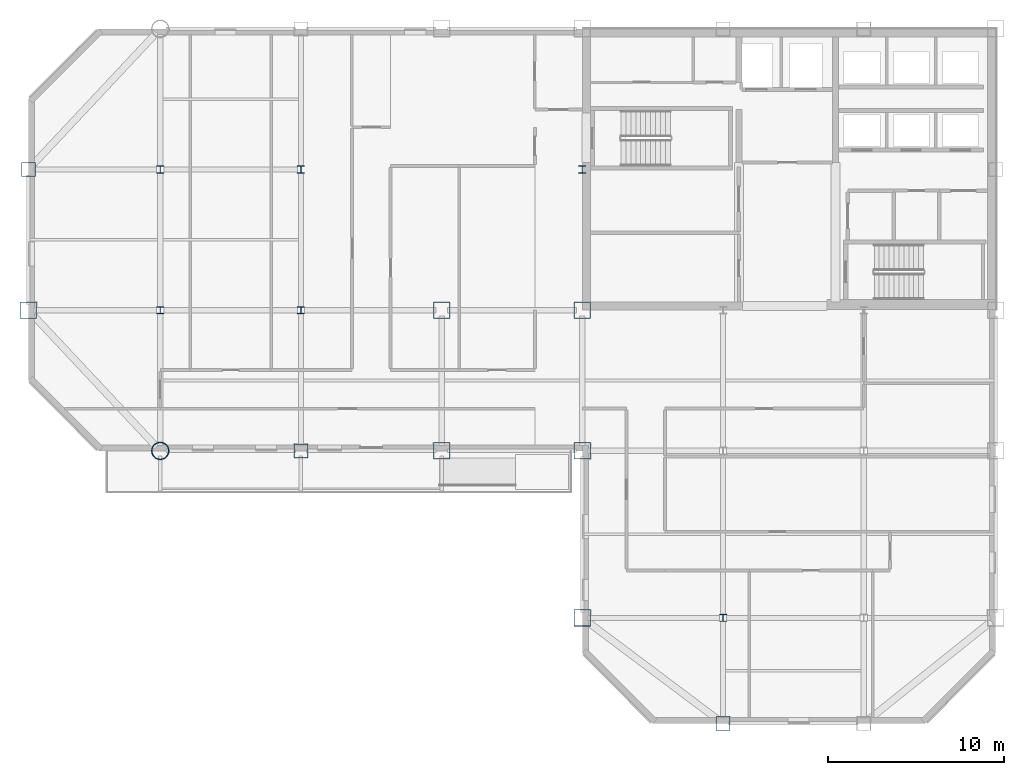
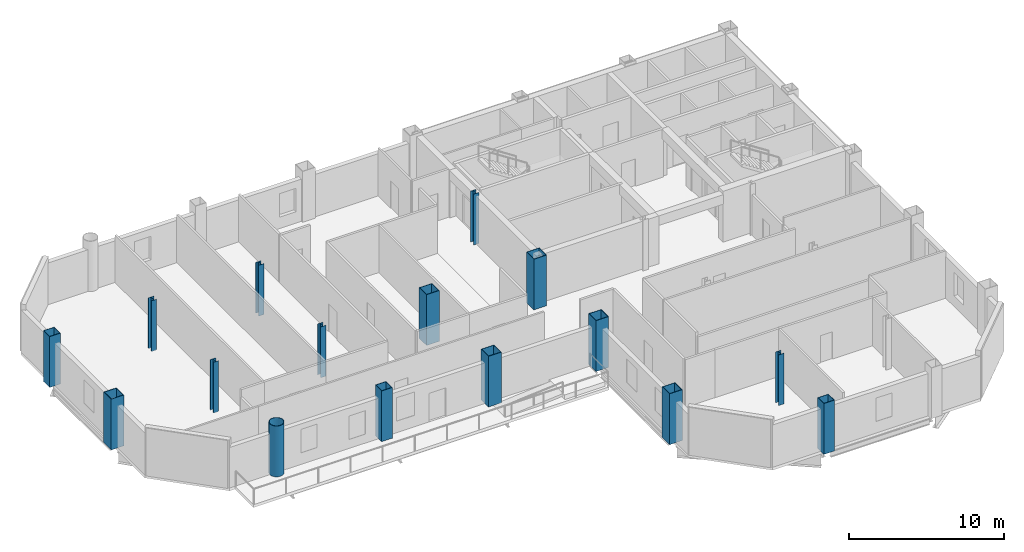
# One storey, part 1 of 11: 16 columns.
"""IFC4 building model written with IfcOpenShell, lengths in metres."""

from ifc_helpers import new_model, si_unit, direction, frame, origin, origin_2d, place, context, subcontext, project, spatial, hollow_rectangle, hollow_circle, i_section, extrude, material, material_profile, profile_set, type_object, element, save


model = new_model("IFC4")

# Units and contexts
model_context = context("Model", 3, precision=1e-05, world=origin(), true_north=direction((0.0, 1.0)))
body_context = subcontext(model_context, "Body", "Model", "MODEL_VIEW")
ifc_project = project(units=[si_unit("LENGTHUNIT", "METRE"), si_unit("AREAUNIT", "SQUARE_METRE"), si_unit("VOLUMEUNIT", "CUBIC_METRE"), si_unit("PLANEANGLEUNIT", "RADIAN"), si_unit("MASSUNIT", "GRAM", prefix="KILO")], contexts=[model_context])

# Site, building, storey
site_placement = place(None, origin())
site = spatial("IfcSite", under=ifc_project, at=site_placement, CompositionType="ELEMENT")
building_placement = place(site_placement, origin())
building = spatial("IfcBuilding", under=site, at=building_placement, Name="Qianrong Seaharbour Tower", CompositionType="ELEMENT")
storey_placement = place(building_placement, frame((0.0, 0.0, 273.800048828125)))
storey = spatial("IfcBuildingStorey", under=building, at=storey_placement, Name="L66", CompositionType="ELEMENT", Elevation=273.800048828125)

# Columns
ifc_material = material(Name="Structural steel SN490B", Category="steel")
ifc_material_profile_1 = material_profile(ifc_material, hollow_rectangle(XDim=0.949951171875, YDim=0.949951171875, WallThickness=0.035888671875, at=origin_2d()), Name="BOX950x950x36")
ifc_profile_set_1 = profile_set([ifc_material_profile_1], Name="Structural steel SN490B")
column_type_1 = type_object("IfcColumnType", Name="COL-CFT-950", PredefinedType="COLUMN", material=ifc_profile_set_1)
for number, where, z_axis, x_axis, name in (
    (1, (9.0, 36.0, 0.0), (0.0, 0.0, 1.0), (1.0, 0.0, 0.0), "L66 Column MC-4 at G2/GF"),
    (2, (32.5, 28.0, 0.0), (0.0, 0.0, 1.0), (1.0, 0.0, 0.0), "L66 Column MC-4 at G5/GE"),
    (3, (32.5, 36.0, 0.0), (0.0, 0.0, 1.0), (1.0, 0.0, 0.0), "L66 Column MC-4 at G5/GF"),
    (4, (40.5, 18.5, 0.0), (0.0, 0.0, 1.0), (1.0, 0.0, 0.0), "L66 Column MC-4 at G6/GD"),
    (5, (40.5, 28.0, 0.0), (0.0, 0.0, 1.0), (1.0, 0.0, 0.0), "L66 Column MC-4 at G6/GE"),
    (6, (40.5, 36.0, 0.0), (0.0, 0.0, 1.0), (1.0, 0.0, 0.0), "L66 Column MC-4 at G6/GF"),
):
    element("IfcColumn", number, at=place(storey_placement, frame(where, z_axis=z_axis, x_axis=x_axis)), inside=storey, type_object=column_type_1, Name=name, PredefinedType="COLUMN", context=body_context, shape_type="SweptSolid", body=[
        extrude(hollow_rectangle(XDim=0.949951171875, YDim=0.949951171875, WallThickness=0.035888671875, at=origin_2d()), origin(), (0.0, 0.0, 1.0), 4.0),
    ])
ifc_material_profile_2 = material_profile(ifc_material, hollow_circle(Radius=0.5, WallThickness=0.035888671875, at=origin_2d()), Name="CHS1000x36")
ifc_profile_set_2 = profile_set([ifc_material_profile_2], Name="Structural steel SN490B")
column_type_2 = type_object("IfcColumnType", Name="COL-CHS-1000", PredefinedType="COLUMN", material=ifc_profile_set_2)
column_placement = place(storey_placement, frame((16.5, 28.0, 0.0), z_axis=(0.0, 0.0, 1.0), x_axis=(1.0, 0.0, 0.0)))
element("IfcColumn", 7, at=column_placement, inside=storey, type_object=column_type_2, Name="L66 Column CC-2 at G3/GE", PredefinedType="COLUMN", context=body_context, shape_type="SweptSolid", body=[
    extrude(hollow_circle(Radius=0.5, WallThickness=0.035888671875, at=origin_2d()), origin(), (0.0, 0.0, 1.0), 4.0),
])
ifc_material_profile_3 = material_profile(ifc_material, i_section(OverallWidth=0.39990234375, OverallDepth=0.39990234375, WebThickness=0.012939453125, FlangeThickness=0.02099609375, FilletRadius=0.02197265625, at=origin_2d()), Name="H400x400x13x21")
ifc_profile_set_3 = profile_set([ifc_material_profile_3], Name="Structural steel SN490B")
column_type_3 = type_object("IfcColumnType", Name="COL-INT-H400", PredefinedType="COLUMN", material=ifc_profile_set_3)
for number, where, z_axis, x_axis, name in (
    (8, (16.5, 36.0, 0.0), (0.0, 0.0, 1.0), (1.0, 0.0, 0.0), "L66 Column IC-3 at G3/GF"),
    (9, (16.5, 44.0, 0.0), (0.0, 0.0, 1.0), (1.0, 0.0, 0.0), "L66 Column IC-3 at G3/GG"),
    (10, (24.5, 36.0, 0.0), (0.0, 0.0, 1.0), (1.0, 0.0, 0.0), "L66 Column IC-3 at G4/GF"),
    (11, (24.5, 44.0, 0.0), (0.0, 0.0, 1.0), (1.0, 0.0, 0.0), "L66 Column IC-3 at G4/GG"),
    (12, (40.5, 44.0, 0.0), (0.0, 0.0, 1.0), (1.0, 0.0, 0.0), "L66 Column IC-3 at G6/GG"),
    (13, (48.5, 18.5, 0.0), (0.0, 0.0, 1.0), (1.0, 0.0, 0.0), "L66 Column IC-3 at G7/GD"),
):
    element("IfcColumn", number, at=place(storey_placement, frame(where, z_axis=z_axis, x_axis=x_axis)), inside=storey, type_object=column_type_3, Name=name, PredefinedType="COLUMN", context=body_context, shape_type="SweptSolid", body=[
        extrude(i_section(OverallWidth=0.39990234375, OverallDepth=0.39990234375, WebThickness=0.012939453125, FlangeThickness=0.02099609375, FilletRadius=0.02197265625, at=origin_2d()), origin(), (0.0, 0.0, 1.0), 4.0),
    ])
ifc_material_profile_4 = material_profile(ifc_material, hollow_rectangle(XDim=0.800048828125, YDim=0.800048828125, WallThickness=0.031982421875, at=origin_2d()), Name="BOX800x800x32")
ifc_profile_set_4 = profile_set([ifc_material_profile_4], Name="Structural steel SN490B")
column_type_4 = type_object("IfcColumnType", Name="COL-PER-800", PredefinedType="COLUMN", material=ifc_profile_set_4)
for number, where, z_axis, x_axis, name in (
    (14, (9.0, 44.0, 0.0), (0.0, 0.0, 1.0), (1.0, 0.0, 0.0), "L66 Column PC-3 at G2/GG"),
    (15, (24.5, 28.0, 0.0), (0.0, 0.0, 1.0), (1.0, 0.0, 0.0), "L66 Column PC-3 at G4/GE"),
    (16, (48.5, 12.5, 0.0), (0.0, 0.0, 1.0), (1.0, 0.0, 0.0), "L66 Column PC-3 at G7/GC"),
):
    element("IfcColumn", number, at=place(storey_placement, frame(where, z_axis=z_axis, x_axis=x_axis)), inside=storey, type_object=column_type_4, Name=name, PredefinedType="COLUMN", context=body_context, shape_type="SweptSolid", body=[
        extrude(hollow_rectangle(XDim=0.800048828125, YDim=0.800048828125, WallThickness=0.031982421875, at=origin_2d()), origin(), (0.0, 0.0, 1.0), 4.0),
    ])

save(model, "model.ifc")
